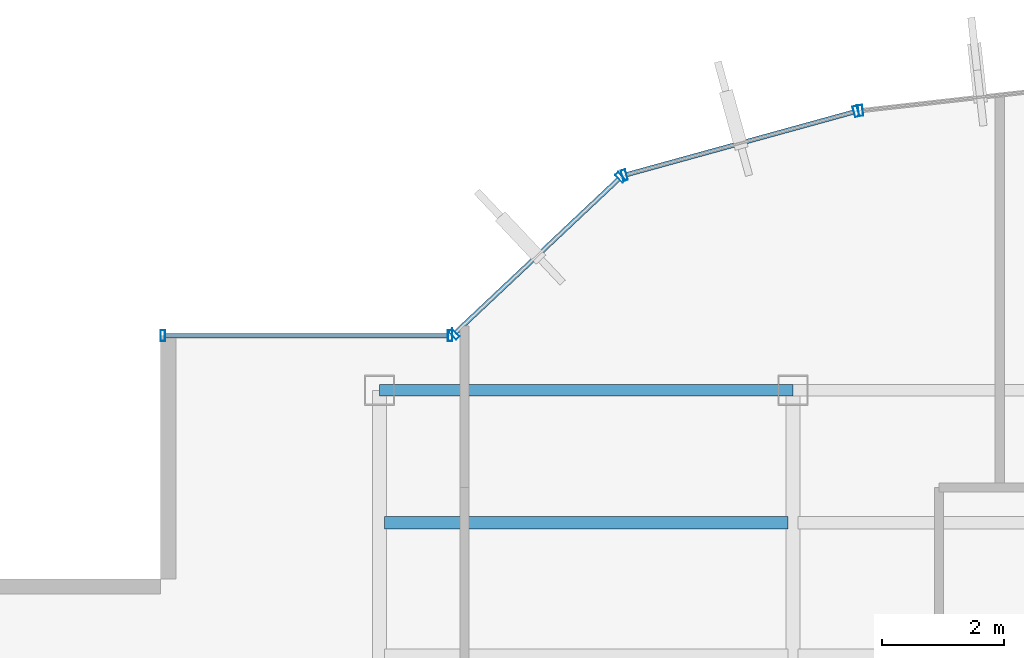
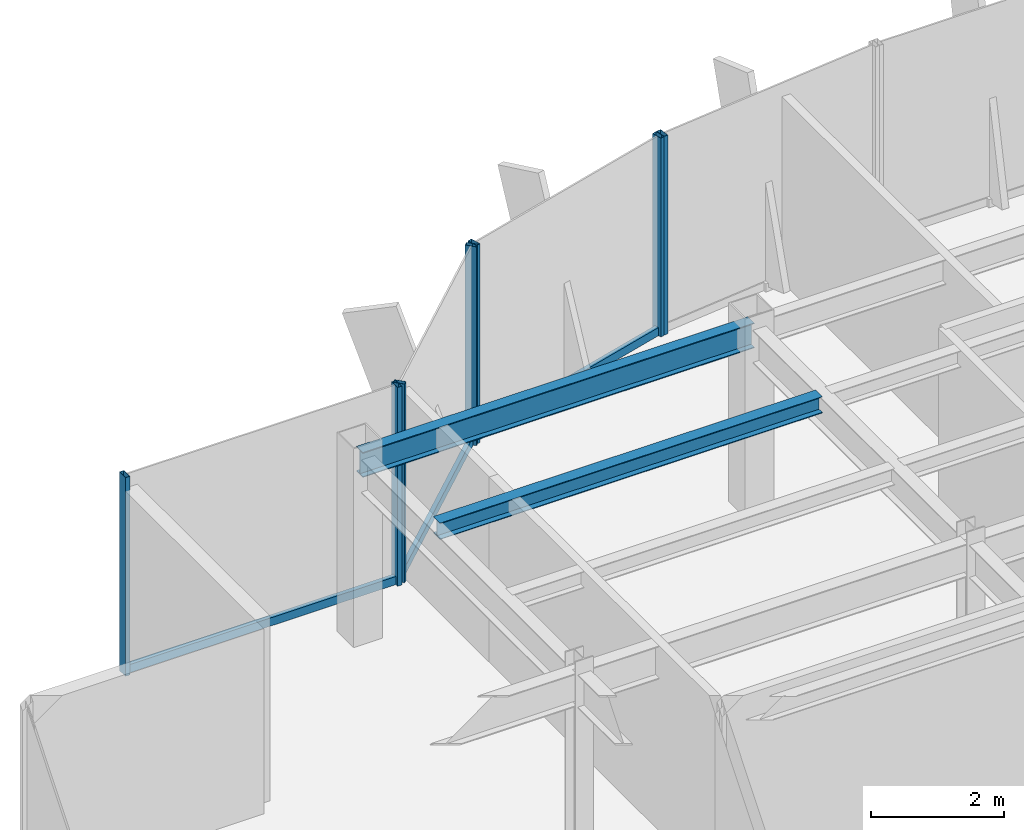
# One storey, part 12 of 22: 10 members, 2 beams, 4 elements without a shape of their own.
"""IFC4 building model written with IfcOpenShell, lengths in metres."""

import ifcopenshell
import ifcopenshell.guid

model = None  # the IFC model being written
_history = None  # IfcOwnerHistory: only IFC2X3 demands one
_inside = {}  # id of a spatial element -> (the spatial element, [elements in it])
_under = {}  # id of a project, library or spatial element -> (it, [spatial elements below it])
_declared = {}  # id of a project -> (the project, [libraries it declares])
_typed = {}  # id of a type object -> (the type object, [elements of that type])
_made_of = {}  # id of a material, layer set ... -> (it, [elements and type objects made of it])


def new_model(schema):
    """Start an empty IFC model of exactly this schema.

    Asked for "IFC4X3", IfcOpenShell would pick the latest addendum, in which some entities
    have other attributes; the version numbers below select the first issue.
    IFC2X3 requires an IfcOwnerHistory on every rooted entity: one is made here for all.
    """
    global model, _history
    if schema == "IFC4X3":
        model = ifcopenshell.file(schema_version=(4, 3, 0, 0))
    else:
        model = ifcopenshell.file(schema=schema)
    _inside.clear()
    _under.clear()
    _declared.clear()
    _typed.clear()
    _made_of.clear()
    _history = None
    if model.schema == "IFC2X3":
        org = make("IfcOrganization", Name="unknown")
        user = make(
            "IfcPersonAndOrganization",
            ThePerson=make("IfcPerson", FamilyName="unknown"),
            TheOrganization=org,
        )
        app = make(
            "IfcApplication",
            ApplicationDeveloper=org,
            Version="unknown",
            ApplicationFullName="unknown",
            ApplicationIdentifier="unknown",
        )
        _history = make(
            "IfcOwnerHistory",
            OwningUser=user,
            OwningApplication=app,
            ChangeAction="ADDED",
            CreationDate=0,
        )
    return model


def make(cls, **values):
    """One entity of the class cls with the attributes given. An attribute that is None is left unset."""
    return model.create_entity(
        cls, **{name: value for name, value in values.items() if value is not None}
    )


def rooted(cls, **values):
    """An entity with a GlobalId (a new one), such as an element, a storey or a relation."""
    return make(cls, GlobalId=ifcopenshell.guid.new(), OwnerHistory=_history, **values)


def si_unit(unit_type, name, prefix=None):
    """IfcSIUnit, for example si_unit("LENGTHUNIT", "METRE", prefix="MILLI")."""
    return make("IfcSIUnit", UnitType=unit_type, Prefix=prefix, Name=name)


def derived_unit(unit_type, elements):
    """IfcDerivedUnit: a product of units, each with its exponent."""
    return make(
        "IfcDerivedUnit",
        Elements=[
            make("IfcDerivedUnitElement", Unit=unit, Exponent=power)
            for unit, power in elements
        ],
        UnitType=unit_type,
    )


def assignment(units):
    """IfcUnitAssignment: the units of a project."""
    return None if units is None else make("IfcUnitAssignment", Units=units)


def point(xyz):
    """IfcCartesianPoint."""
    return None if xyz is None else make("IfcCartesianPoint", Coordinates=xyz)


def direction(xyz):
    """IfcDirection."""
    return None if xyz is None else make("IfcDirection", DirectionRatios=xyz)


def frame(location, z_axis=None, x_axis=None):
    """IfcAxis2Placement3D, a coordinate frame: its origin and axes. An axis left out is left unset."""
    return make(
        "IfcAxis2Placement3D",
        Location=point(location),
        Axis=direction(z_axis),
        RefDirection=direction(x_axis),
    )


def frame_2d(location, x_axis=None):
    """IfcAxis2Placement2D, a coordinate frame in the plane: its origin and x axis."""
    return make(
        "IfcAxis2Placement2D", Location=point(location), RefDirection=direction(x_axis)
    )


def origin():
    """The frame at (0, 0, 0) with its axes left unset."""
    return frame((0.0, 0.0, 0.0))


def origin_2d():
    """The frame at (0, 0) in the plane with its x axis left unset."""
    return frame_2d((0.0, 0.0))


def place(relative_to, where):
    """IfcLocalPlacement: puts the frame where relative to a parent placement (None: the world)."""
    return make(
        "IfcLocalPlacement", PlacementRelTo=relative_to, RelativePlacement=where
    )


def context(
    kind, dimensions, precision=None, world=None, true_north=None, identifier=None
):
    """IfcGeometricRepresentationContext, for example the 3D "Model" context."""
    return make(
        "IfcGeometricRepresentationContext",
        ContextIdentifier=identifier,
        ContextType=kind,
        CoordinateSpaceDimension=dimensions,
        Precision=precision,
        WorldCoordinateSystem=world,
        TrueNorth=true_north,
    )


def subcontext(parent, identifier, kind, view, scale=None):
    """IfcGeometricRepresentationSubContext, for example "Body" below "Model"."""
    return make(
        "IfcGeometricRepresentationSubContext",
        ContextIdentifier=identifier,
        ContextType=kind,
        ParentContext=parent,
        TargetScale=scale,
        TargetView=view,
    )


def project(units=None, contexts=None):
    """IfcProject with its units and contexts."""
    return rooted(
        "IfcProject",
        Name="project",
        RepresentationContexts=contexts,
        UnitsInContext=assignment(units),
    )


def spatial(cls, under=None, at=None, **own):
    """A site, building, storey or space (cls), placed at a placement, below another one or the project."""
    s = rooted(cls, ObjectPlacement=at, **own)
    if under is not None:
        _under.setdefault(under.id(), (under, []))[1].append(s)
    return s


def profile(cls, at=None, kind="AREA", **sizes):
    """A parametric profile (cls). Its sizes go by their IFC names, for example OverallWidth=200.0."""
    return make(cls, ProfileType=kind, Position=at, **sizes)


def hollow_rectangle(**sizes):
    """IfcRectangleHollowProfileDef."""
    return profile("IfcRectangleHollowProfileDef", **sizes)


def i_section(**sizes):
    """IfcIShapeProfileDef."""
    return profile("IfcIShapeProfileDef", **sizes)


def extrude(swept, where, along, depth):
    """IfcExtrudedAreaSolid: the profile swept, set in the frame where, extruded along a direction by depth."""
    return make(
        "IfcExtrudedAreaSolid",
        SweptArea=swept,
        Position=where,
        ExtrudedDirection=direction(along),
        Depth=depth,
    )


def shape(context_of_items, identifier, shape_type, items):
    """IfcShapeRepresentation: the items that make up one representation, for example the "Body"."""
    return make(
        "IfcShapeRepresentation",
        ContextOfItems=context_of_items,
        RepresentationIdentifier=identifier,
        RepresentationType=shape_type,
        Items=items,
    )


def source(mapping_origin, context_of_items, identifier, shape_type, items):
    """IfcRepresentationMap: a shape defined once, which mapped items show again and again."""
    return make(
        "IfcRepresentationMap",
        MappingOrigin=mapping_origin,
        MappedRepresentation=shape(context_of_items, identifier, shape_type, items),
    )


def transform(
    local_origin,
    x_axis=None,
    y_axis=None,
    z_axis=None,
    scale=None,
    scale2=None,
    scale3=None,
    uniform=True,
):
    """IfcCartesianTransformationOperator3D, or its non-uniform kind. x_axis, y_axis, z_axis: its Axis1, 2, 3."""
    if uniform:
        return make(
            "IfcCartesianTransformationOperator3D",
            Axis1=direction(x_axis),
            Axis2=direction(y_axis),
            LocalOrigin=point(local_origin),
            Scale=scale,
            Axis3=direction(z_axis),
        )
    return make(
        "IfcCartesianTransformationOperator3DnonUniform",
        Axis1=direction(x_axis),
        Axis2=direction(y_axis),
        LocalOrigin=point(local_origin),
        Scale=scale,
        Axis3=direction(z_axis),
        Scale2=scale2,
        Scale3=scale3,
    )


def mapped(mapping_source, mapping_target):
    """IfcMappedItem: shows the shape of a source again, moved by a transform."""
    return make(
        "IfcMappedItem", MappingSource=mapping_source, MappingTarget=mapping_target
    )


def material(Name=None, Category=None):
    """IfcMaterial."""
    return make("IfcMaterial", Name=Name, Category=Category)


def material_profile(
    of_material, cross_section, Name=None, Category=None, Priority=None
):
    """IfcMaterialProfile: a cross section and its material."""
    return make(
        "IfcMaterialProfile",
        Name=Name,
        Material=of_material,
        Profile=cross_section,
        Priority=Priority,
        Category=Category,
    )


def profile_set(profiles, Name=None, composite=None):
    """IfcMaterialProfileSet."""
    return make(
        "IfcMaterialProfileSet",
        Name=Name,
        MaterialProfiles=profiles,
        CompositeProfile=composite,
    )


def made_of(thing, what):
    """Note that an element or type object is made of a material, layer set ...; save() writes the relation."""
    if what is not None:
        _made_of.setdefault(what.id(), (what, []))[1].append(thing)
    return thing


def type_object(cls, material=None, **own):
    """A type object (cls), such as IfcWallType, which elements share."""
    return made_of(rooted(cls, **own), material)


def element(
    cls,
    number,
    at=None,
    inside=None,
    cuts=None,
    type_object=None,
    material=None,
    context=None,
    identifier="Body",
    shape_type=None,
    held_by="IfcProductDefinitionShape",
    body=None,
    shapes=None,
    **own,
):
    """One element of the class cls, such as IfcWall. Its Tag is "e" and its number.

    at: its placement. inside: the storey or other place that contains it. cuts: it is an
    opening in that element (IfcRelVoidsElement). A single representation is given by context,
    identifier, shape_type and body (its items); several are given by shapes. held_by: the class
    of the entity that holds the representations. save() writes the other relations.
    """
    e = rooted(cls, Tag="e%d" % number, ObjectPlacement=at, **own)
    if body is not None:
        shapes = [shape(context, identifier, shape_type, body)]
    if shapes is not None:
        e.Representation = make(held_by, Representations=shapes)
    if inside is not None:
        _inside.setdefault(inside.id(), (inside, []))[1].append(e)
    if cuts is not None:
        rooted(
            "IfcRelVoidsElement", RelatingBuildingElement=cuts, RelatedOpeningElement=e
        )
    if type_object is not None:
        _typed.setdefault(type_object.id(), (type_object, []))[1].append(e)
    return made_of(e, material)


def aggregate(whole, parts):
    """IfcRelAggregates: a whole, such as a stair, and the parts it consists of."""
    return rooted("IfcRelAggregates", RelatingObject=whole, RelatedObjects=parts)


def save(model, path):
    """Write the relations noted so far, then the file.

    IfcRelAggregates (storeys below a building ...), IfcRelContainedInSpatialStructure (elements
    in a storey), IfcRelDefinesByType, IfcRelAssociatesMaterial and IfcRelDeclares: one each for
    every whole, place, type object, material and project.
    """
    for whole, parts in _under.values():
        aggregate(whole, parts)
    for where, things in _inside.values():
        rooted(
            "IfcRelContainedInSpatialStructure",
            RelatedElements=things,
            RelatingStructure=where,
        )
    for kind, things in _typed.values():
        rooted("IfcRelDefinesByType", RelatedObjects=things, RelatingType=kind)
    for what, things in _made_of.values():
        rooted("IfcRelAssociatesMaterial", RelatedObjects=things, RelatingMaterial=what)
    for by, libraries in _declared.values():
        rooted("IfcRelDeclares", RelatingContext=by, RelatedDefinitions=libraries)
    model.write(path)


model = new_model("IFC4")

# Units and contexts
model_context = context("Model", 3, precision=1e-05, world=origin(), true_north=direction((0.0, 1.0)))
body_context = subcontext(model_context, "Body", "Model", "MODEL_VIEW")
ifc_project = project(units=[si_unit("LENGTHUNIT", "METRE"), si_unit("AREAUNIT", "SQUARE_METRE"), si_unit("VOLUMEUNIT", "CUBIC_METRE"), si_unit("PLANEANGLEUNIT", "RADIAN"), si_unit("MASSUNIT", "GRAM", prefix="KILO"), derived_unit("THERMALTRANSMITTANCEUNIT", [(si_unit("POWERUNIT", "WATT"), 1), (si_unit("LENGTHUNIT", "METRE"), -2), (si_unit("THERMODYNAMICTEMPERATUREUNIT", "KELVIN"), -1)])], contexts=[model_context])

# Site, building, storey
site_placement = place(None, origin())
site = spatial("IfcSite", under=ifc_project, at=site_placement, CompositionType="ELEMENT")
building_placement = place(site_placement, origin())
building = spatial("IfcBuilding", under=site, at=building_placement, Name="Skarnbrae Concourse Arena and Tower", CompositionType="ELEMENT")
storey_placement = place(building_placement, frame((0.0, 0.0, 280.699951171875)))
storey = spatial("IfcBuildingStorey", under=building, at=storey_placement, Name="L73", CompositionType="ELEMENT", Elevation=280.699951171875)

# Beams
ifc_material_1 = material(Name="Steel CSA G40.21 350W", Category="steel")
ifc_material_profile_1 = material_profile(ifc_material_1, i_section(OverallWidth=0.19091796875, OverallDepth=0.4599609375, WebThickness=0.010009765625, FlangeThickness=0.01611328125, at=origin_2d()), Name="W460X82")
ifc_profile_set_1 = profile_set([ifc_material_profile_1], Name="Steel CSA G40.21 350W")
beam_type_1 = type_object("IfcBeamType", Name="BM-SPAN-W460X82", PredefinedType="SPANDREL", material=ifc_profile_set_1)
shared_shape_1 = source(origin(), body_context, "Body", "SweptSolid", [
    extrude(i_section(OverallWidth=0.19091796875, OverallDepth=0.4599609375, WebThickness=0.010009765625, FlangeThickness=0.01611328125, at=origin_2d()), origin(), (0.0, 0.0, 1.0), 6.7998046875),
])
beam_1_placement = place(storey_placement, frame((7.60009765625, 34.39990234375, 3.170166015625), z_axis=(1.0, 0.0, 0.0), x_axis=(0.0, 1.0, 0.0)))
element("IfcBeam", 1, at=beam_1_placement, inside=storey, type_object=beam_type_1, Name="L73 Perimeter spandrel Y34.4-1", PredefinedType="SPANDREL", context=body_context, shape_type="MappedRepresentation", body=[
    mapped(shared_shape_1, transform((0.0, 0.0, 0.0))),
])
ifc_material_profile_2 = material_profile(ifc_material_1, i_section(OverallWidth=0.202880859375, OverallDepth=0.302978515625, WebThickness=0.007568359375, FlangeThickness=0.01318359375, at=origin_2d()), Name="W310X60")
ifc_profile_set_2 = profile_set([ifc_material_profile_2], Name="Steel CSA G40.21 350W")
beam_type_2 = type_object("IfcBeamType", Name="BM-JOIST-W310X60", PredefinedType="JOIST", material=ifc_profile_set_2)
shared_shape_2 = source(origin(), body_context, "Body", "SweptSolid", [
    extrude(i_section(OverallWidth=0.202880859375, OverallDepth=0.302978515625, WebThickness=0.007568359375, FlangeThickness=0.01318359375, at=origin_2d()), origin(), (0.0, 0.0, 1.0), 6.64013671875),
])
beam_2_placement = place(storey_placement, frame((7.679931640625, 32.221923828125, 3.24853515625), z_axis=(1.0, 0.0, 0.0), x_axis=(0.0, 1.0, 0.0)))
element("IfcBeam", 2, at=beam_2_placement, inside=storey, type_object=beam_type_2, Name="L73 Secondary floor joist 3.2.1", PredefinedType="JOIST", context=body_context, shape_type="MappedRepresentation", body=[
    mapped(shared_shape_2, transform((0.0, 0.0, 0.0))),
])

# Curtain wall, member
ifc_material_2 = material(Name="Bronze anodised aluminium 6063-T6", Category="aluminium")
curtain_wall_type = type_object("IfcCurtainWallType", Name="CW-SYS-05-HIGHZONE", PredefinedType="USERDEFINED", material=ifc_material_2)
curtain_wall_1_placement = place(storey_placement, origin())
curtain_wall_1 = element("IfcCurtainWall", 3, at=curtain_wall_1_placement, inside=storey, type_object=curtain_wall_type, Name="L73 Unitised curtain wall CW-L73-E15", ObjectType="UNITISED CURTAIN WALL", PredefinedType="USERDEFINED")
ifc_material_profile_3 = material_profile(ifc_material_2, hollow_rectangle(XDim=0.074951171875, YDim=0.14990234375, WallThickness=0.00390625, at=origin_2d()), Name="ALU-TRAN-75X150")
ifc_profile_set_3 = profile_set([ifc_material_profile_3], Name="Bronze anodised aluminium 6063-T6")
member_type_1 = type_object("IfcMemberType", Name="CWT-CW-05", PredefinedType="USERDEFINED", material=ifc_profile_set_3)
shared_shape_3 = source(origin(), body_context, "Body", "SweptSolid", [
    extrude(hollow_rectangle(XDim=0.074951171875, YDim=0.14990234375, WallThickness=0.00390625, at=origin_2d()), origin(), (0.0, 0.0, 1.0), 4.650146484375),
])
member_1_placement = place(storey_placement, frame((8.72509765625, 35.300048828125, 0.074951171875), z_axis=(-1.0, 0.0, 0.0), x_axis=(0.0, -1.0, 0.0)))
member_1 = element("IfcMember", 4, at=member_1_placement, type_object=member_type_1, Name="CW-L73-E15 Transom 1", ObjectType="TRANSOM", PredefinedType="USERDEFINED", context=body_context, shape_type="MappedRepresentation", body=[
    mapped(shared_shape_3, transform((0.0, 0.0, 0.0))),
])

curtain_wall_2_placement = place(storey_placement, origin())
curtain_wall_2 = element("IfcCurtainWall", 5, at=curtain_wall_2_placement, inside=storey, type_object=curtain_wall_type, Name="L73 Unitised curtain wall CW-L73-E14", ObjectType="UNITISED CURTAIN WALL", PredefinedType="USERDEFINED")
shared_shape_4 = source(origin(), body_context, "Body", "SweptSolid", [
    extrude(hollow_rectangle(XDim=0.074951171875, YDim=0.14990234375, WallThickness=0.00390625, at=origin_2d()), origin(), (0.0, 0.0, 1.0), 3.68212890625),
])
member_2_placement = place(storey_placement, frame((11.53564453125, 37.875244140625, 0.074951171875), z_axis=(-0.728133808476, -0.685435012933, 0.0), x_axis=(0.685435012933, -0.728133808476, 0.0)))
member_2 = element("IfcMember", 6, at=member_2_placement, type_object=member_type_1, Name="CW-L73-E14 Transom 1", ObjectType="TRANSOM", PredefinedType="USERDEFINED", context=body_context, shape_type="MappedRepresentation", body=[
    mapped(shared_shape_4, transform((0.0, 0.0, 0.0))),
])

curtain_wall_3_placement = place(storey_placement, origin())
curtain_wall_3 = element("IfcCurtainWall", 7, at=curtain_wall_3_placement, inside=storey, type_object=curtain_wall_type, Name="L73 Unitised curtain wall CW-L73-E13", ObjectType="UNITISED CURTAIN WALL", PredefinedType="USERDEFINED")
shared_shape_5 = source(origin(), body_context, "Body", "SweptSolid", [
    extrude(hollow_rectangle(XDim=0.074951171875, YDim=0.14990234375, WallThickness=0.00390625, at=origin_2d()), origin(), (0.0, 0.0, 1.0), 3.878662109375),
])
member_3_placement = place(storey_placement, frame((15.40185546875, 38.977294921875, 0.074951171875), z_axis=(-0.964042677713, -0.265747465742, 0.0), x_axis=(0.265747465742, -0.964042677713, 0.0)))
member_3 = element("IfcMember", 8, at=member_3_placement, type_object=member_type_1, Name="CW-L73-E13 Transom 1", ObjectType="TRANSOM", PredefinedType="USERDEFINED", context=body_context, shape_type="MappedRepresentation", body=[
    mapped(shared_shape_5, transform((0.0, 0.0, 0.0))),
])

curtain_wall_4_placement = place(storey_placement, origin())
curtain_wall_4 = element("IfcCurtainWall", 9, at=curtain_wall_4_placement, inside=storey, type_object=curtain_wall_type, Name="L73 Unitised curtain wall CW-L73-E12", ObjectType="UNITISED CURTAIN WALL", PredefinedType="USERDEFINED")
ifc_material_profile_4 = material_profile(ifc_material_2, hollow_rectangle(XDim=0.074951171875, YDim=0.179931640625, WallThickness=0.00390625, at=origin_2d()), Name="ALU-MULL-75X180")
ifc_profile_set_4 = profile_set([ifc_material_profile_4], Name="Bronze anodised aluminium 6063-T6")
member_type_2 = type_object("IfcMemberType", Name="CWM-CW-05", PredefinedType="MULLION", material=ifc_profile_set_4)
shared_shape_6 = source(origin(), body_context, "Body", "SweptSolid", [
    extrude(hollow_rectangle(XDim=0.074951171875, YDim=0.179931640625, WallThickness=0.00390625, at=origin_2d()), origin(), (0.0, 0.0, 1.0), 3.650146484375),
])
member_4_placement = place(storey_placement, frame((15.511474609375, 39.001220703125, 0.0), z_axis=(0.0, 0.0, 1.0), x_axis=(-0.993768891873, -0.111460259941, 0.0)))
member_4 = element("IfcMember", 10, at=member_4_placement, type_object=member_type_2, Name="CW-L73-E12 Mullion 2", PredefinedType="MULLION", context=body_context, shape_type="MappedRepresentation", body=[
    mapped(shared_shape_6, transform((0.0, 0.0, 0.0))),
])
aggregate(curtain_wall_4, [member_4])

# Member
member_5_placement = place(storey_placement, frame((15.43798828125, 38.987060546875, 0.0), z_axis=(0.0, 0.0, 1.0), x_axis=(-0.964057388766, -0.265694093207, 0.0)))
member_5 = element("IfcMember", 11, at=member_5_placement, type_object=member_type_2, Name="CW-L73-E13 Mullion 1", PredefinedType="MULLION", context=body_context, shape_type="MappedRepresentation", body=[
    mapped(shared_shape_6, transform((0.0, 0.0, 0.0))),
])

member_6_placement = place(storey_placement, frame((11.62646484375, 37.936767578125, 0.0), z_axis=(0.0, 0.0, 1.0), x_axis=(-0.964057388766, -0.265694093207, 0.0)))
member_6 = element("IfcMember", 12, at=member_6_placement, type_object=member_type_2, Name="CW-L73-E13 Mullion 2", PredefinedType="MULLION", context=body_context, shape_type="MappedRepresentation", body=[
    mapped(shared_shape_6, transform((0.0, 0.0, 0.0))),
])

aggregate(curtain_wall_3, [member_5, member_6, member_3])

member_7_placement = place(storey_placement, frame((11.56298828125, 37.90087890625, 0.0), z_axis=(0.0, 0.0, 1.0), x_axis=(-0.728130555214, -0.685438468838, 0.0)))
member_7 = element("IfcMember", 13, at=member_7_placement, type_object=member_type_2, Name="CW-L73-E14 Mullion 1", PredefinedType="MULLION", context=body_context, shape_type="MappedRepresentation", body=[
    mapped(shared_shape_6, transform((0.0, 0.0, 0.0))),
])

member_8_placement = place(storey_placement, frame((8.827392578125, 35.32568359375, 0.0), z_axis=(0.0, 0.0, 1.0), x_axis=(-0.728130555214, -0.685438468838, 0.0)))
member_8 = element("IfcMember", 14, at=member_8_placement, type_object=member_type_2, Name="CW-L73-E14 Mullion 2", PredefinedType="MULLION", context=body_context, shape_type="MappedRepresentation", body=[
    mapped(shared_shape_6, transform((0.0, 0.0, 0.0))),
])

aggregate(curtain_wall_2, [member_7, member_8, member_2])

member_9_placement = place(storey_placement, frame((8.762451171875, 35.300048828125, 0.0), z_axis=(0.0, 0.0, 1.0), x_axis=(-1.0, 0.0, 0.0)))
member_9 = element("IfcMember", 15, at=member_9_placement, type_object=member_type_2, Name="CW-L73-E15 Mullion 1", PredefinedType="MULLION", context=body_context, shape_type="MappedRepresentation", body=[
    mapped(shared_shape_6, transform((0.0, 0.0, 0.0))),
])

member_10_placement = place(storey_placement, frame((4.03759765625, 35.300048828125, 0.0), z_axis=(0.0, 0.0, 1.0), x_axis=(-1.0, 0.0, 0.0)))
member_10 = element("IfcMember", 16, at=member_10_placement, type_object=member_type_2, Name="CW-L73-E15 Mullion 2", PredefinedType="MULLION", context=body_context, shape_type="MappedRepresentation", body=[
    mapped(shared_shape_6, transform((0.0, 0.0, 0.0))),
])

aggregate(curtain_wall_1, [member_9, member_10, member_1])

save(model, "model.ifc")
